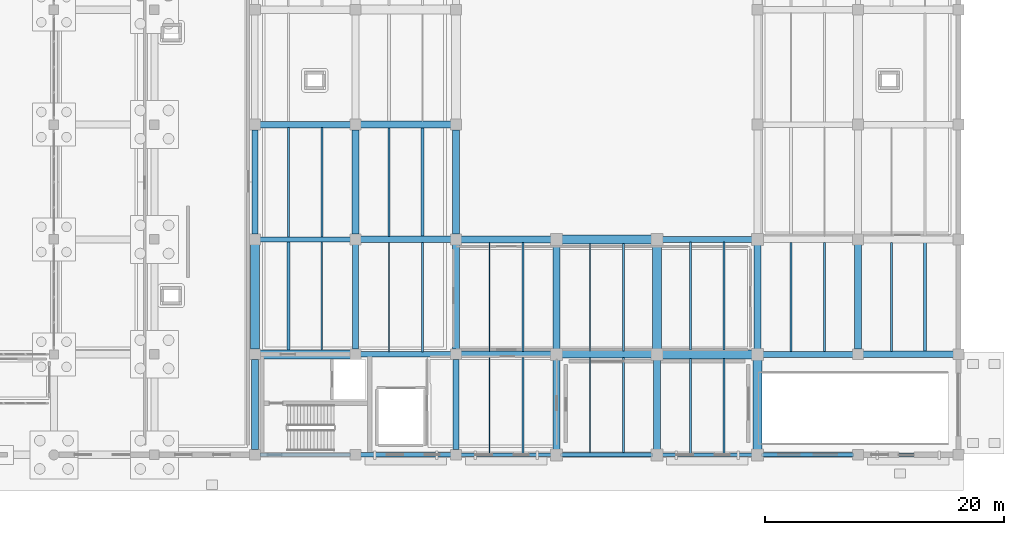
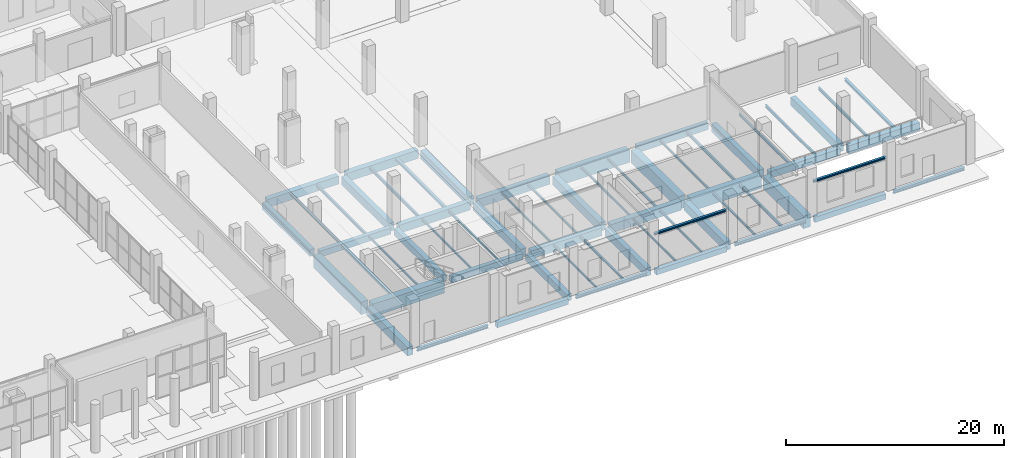
# One storey, part 25 of 65: 62 beams.
"""IFC4 building model written with IfcOpenShell, lengths in metres."""

from ifc_helpers import new_model, si_unit, direction, frame, origin, origin_2d, place, context, subcontext, project, spatial, rectangle, i_section, extrude, material, material_profile, profile_set, type_object, element, save


model = new_model("IFC4")

# Units and contexts
model_context = context("Model", 3, precision=1e-05, world=origin(), true_north=direction((0.0, 1.0)))
body_context = subcontext(model_context, "Body", "Model", "MODEL_VIEW")
ifc_project = project(units=[si_unit("LENGTHUNIT", "METRE"), si_unit("AREAUNIT", "SQUARE_METRE"), si_unit("VOLUMEUNIT", "CUBIC_METRE"), si_unit("PLANEANGLEUNIT", "RADIAN"), si_unit("MASSUNIT", "GRAM", prefix="KILO")], contexts=[model_context])

# Site, building, storey
site_placement = place(None, origin())
site = spatial("IfcSite", under=ifc_project, at=site_placement, CompositionType="ELEMENT")
building_placement = place(site_placement, origin())
building = spatial("IfcBuilding", under=site, at=building_placement, Name="Zulmaris Art Gallery", CompositionType="ELEMENT")
storey_placement = place(building_placement, origin())
storey = spatial("IfcBuildingStorey", under=building, at=storey_placement, Name="L00", CompositionType="ELEMENT", Elevation=0.0)

# Beams
ifc_material_1 = material(Name="Concrete C40/50", Category="concrete")
ifc_material_profile_1 = material_profile(ifc_material_1, rectangle(XDim=0.449951171875, YDim=0.699951171875, at=origin_2d()), Name="RC 450x700")
ifc_profile_set_1 = profile_set([ifc_material_profile_1], Name="Concrete C40/50")
beam_type_1 = type_object("IfcBeamType", Name="BEAM-BM19", PredefinedType="BEAM", material=ifc_profile_set_1)
for number, where, z_axis, x_axis, name in (
    (1, (150.43505859375, 21.60009765625, -0.7548828125), (1.0, 0.0, 0.0), (0.0, 1.0, 0.0), "L00 X-girder (150.0..158.4, y=21.6)"),
    (2, (142.034912109375, 31.199951171875, -0.7548828125), (1.0, 0.0, 0.0), (0.0, 1.0, 0.0), "L00 X-girder (141.6..150.0, y=31.2)"),
):
    element("IfcBeam", number, at=place(storey_placement, frame(where, z_axis=z_axis, x_axis=x_axis)), inside=storey, type_object=beam_type_1, Name=name, PredefinedType="BEAM", context=body_context, shape_type="SweptSolid", body=[
        extrude(rectangle(XDim=0.449951171875, YDim=0.699951171875, at=origin_2d()), origin(), (0.0, 0.0, 1.0), 7.530029296875),
    ])
ifc_material_profile_2 = material_profile(ifc_material_1, rectangle(XDim=0.5, YDim=0.75, at=origin_2d()), Name="RC 500x750")
ifc_profile_set_2 = profile_set([ifc_material_profile_2], Name="Concrete C40/50")
beam_type_2 = type_object("IfcBeamType", Name="BEAM-BM20", PredefinedType="BEAM", material=ifc_profile_set_2)
beam_1_placement = place(storey_placement, frame((184.06005859375, 21.60009765625, -0.780029296875), z_axis=(1.0, 0.0, 0.0), x_axis=(0.0, 1.0, 0.0)))
element("IfcBeam", 3, at=beam_1_placement, inside=storey, type_object=beam_type_2, Name="L00 X-girder (183.6..192.0, y=21.6)", PredefinedType="BEAM", context=body_context, shape_type="SweptSolid", body=[
    extrude(rectangle(XDim=0.5, YDim=0.75, at=origin_2d()), origin(), (0.0, 0.0, 1.0), 7.5048828125),
])
beam_2_placement = place(storey_placement, frame((175.659912109375, 31.199951171875, -0.780029296875), z_axis=(1.0, 0.0, 0.0), x_axis=(0.0, 1.0, 0.0)))
element("IfcBeam", 4, at=beam_2_placement, inside=storey, type_object=beam_type_2, Name="L00 X-girder (175.2..183.6, y=31.2)", PredefinedType="BEAM", context=body_context, shape_type="SweptSolid", body=[
    extrude(rectangle(XDim=0.5, YDim=0.75, at=origin_2d()), origin(), (0.0, 0.0, 1.0), 7.47998046875),
])
for number, where, z_axis, x_axis, name in (
    (5, (141.60009765625, 31.635009765625, -0.780029296875), (0.0, 1.0, 0.0), (-1.0, 0.0, 0.0), "L00 Y-girder (x=141.6, 31.2..40.8)"),
    (6, (150.0, 22.034912109375, -0.780029296875), (0.0, 1.0, 0.0), (-1.0, 0.0, 0.0), "L00 Y-girder (x=150.0, 21.6..31.2)"),
):
    element("IfcBeam", number, at=place(storey_placement, frame(where, z_axis=z_axis, x_axis=x_axis)), inside=storey, type_object=beam_type_2, Name=name, PredefinedType="BEAM", context=body_context, shape_type="SweptSolid", body=[
        extrude(rectangle(XDim=0.5, YDim=0.75, at=origin_2d()), origin(), (0.0, 0.0, 1.0), 8.72998046875),
    ])
beam_3_placement = place(storey_placement, frame((158.39990234375, 13.635009765625, -0.780029296875), z_axis=(0.0, 1.0, 0.0), x_axis=(-1.0, 0.0, 0.0)))
element("IfcBeam", 7, at=beam_3_placement, inside=storey, type_object=beam_type_2, Name="L00 Y-girder (x=158.4, 13.2..21.6)", PredefinedType="BEAM", context=body_context, shape_type="SweptSolid", body=[
    extrude(rectangle(XDim=0.5, YDim=0.75, at=origin_2d()), origin(), (0.0, 0.0, 1.0), 7.530029296875),
])
ifc_material_profile_3 = material_profile(ifc_material_1, rectangle(XDim=0.550048828125, YDim=0.89990234375, at=origin_2d()), Name="RC 550x900")
ifc_profile_set_3 = profile_set([ifc_material_profile_3], Name="Concrete C40/50")
beam_type_3 = type_object("IfcBeamType", Name="BEAM-BM21", PredefinedType="BEAM", material=ifc_profile_set_3)
beam_4_placement = place(storey_placement, frame((158.8349609375, 21.60009765625, -0.860107421875), z_axis=(1.0, 0.0, 0.0), x_axis=(0.0, 1.0, 0.0)))
element("IfcBeam", 8, at=beam_4_placement, inside=storey, type_object=beam_type_3, Name="L00 X-girder (158.4..166.8, y=21.6)", PredefinedType="BEAM", context=body_context, shape_type="SweptSolid", body=[
    extrude(rectangle(XDim=0.550048828125, YDim=0.89990234375, at=origin_2d()), origin(), (0.0, 0.0, 1.0), 7.505126953125),
])
for number, where, z_axis, x_axis, name in (
    (9, (192.43505859375, 21.60009765625, -0.860107421875), (1.0, 0.0, 0.0), (0.0, 1.0, 0.0), "L00 X-girder (192.0..200.4, y=21.6)"),
    (10, (150.43505859375, 31.199951171875, -0.860107421875), (1.0, 0.0, 0.0), (0.0, 1.0, 0.0), "L00 X-girder (150.0..158.4, y=31.2)"),
    (11, (142.034912109375, 40.800048828125, -0.860107421875), (1.0, 0.0, 0.0), (0.0, 1.0, 0.0), "L00 X-girder (141.6..150.0, y=40.8)"),
):
    element("IfcBeam", number, at=place(storey_placement, frame(where, z_axis=z_axis, x_axis=x_axis)), inside=storey, type_object=beam_type_3, Name=name, PredefinedType="BEAM", context=body_context, shape_type="SweptSolid", body=[
        extrude(rectangle(XDim=0.550048828125, YDim=0.89990234375, at=origin_2d()), origin(), (0.0, 0.0, 1.0), 7.530029296875),
    ])
for number, where, z_axis, x_axis, name in (
    (12, (150.0, 31.635009765625, -0.860107421875), (0.0, 1.0, 0.0), (-1.0, 0.0, 0.0), "L00 Y-girder (x=150.0, 31.2..40.8)"),
    (13, (158.39990234375, 22.034912109375, -0.860107421875), (0.0, 1.0, 0.0), (-1.0, 0.0, 0.0), "L00 Y-girder (x=158.4, 21.6..31.2)"),
):
    element("IfcBeam", number, at=place(storey_placement, frame(where, z_axis=z_axis, x_axis=x_axis)), inside=storey, type_object=beam_type_3, Name=name, PredefinedType="BEAM", context=body_context, shape_type="SweptSolid", body=[
        extrude(rectangle(XDim=0.550048828125, YDim=0.89990234375, at=origin_2d()), origin(), (0.0, 0.0, 1.0), 8.72998046875),
    ])
beam_5_placement = place(storey_placement, frame((166.800048828125, 13.659912109375, -0.860107421875), z_axis=(0.0, 1.0, 0.0), x_axis=(-1.0, 0.0, 0.0)))
element("IfcBeam", 14, at=beam_5_placement, inside=storey, type_object=beam_type_3, Name="L00 Y-girder (x=166.8, 13.2..21.6)", PredefinedType="BEAM", context=body_context, shape_type="SweptSolid", body=[
    extrude(rectangle(XDim=0.550048828125, YDim=0.89990234375, at=origin_2d()), origin(), (0.0, 0.0, 1.0), 7.47998046875),
])
beam_6_placement = place(storey_placement, frame((183.60009765625, 22.06005859375, -0.85498046875), z_axis=(0.0, 1.0, 0.0), x_axis=(-1.0, 0.0, 0.0)))
element("IfcBeam", 15, at=beam_6_placement, inside=storey, type_object=beam_type_3, Name="L00 Y-girder (x=183.6, 21.6..31.2)", PredefinedType="BEAM", context=body_context, shape_type="SweptSolid", body=[
    extrude(rectangle(XDim=0.550048828125, YDim=0.89990234375, at=origin_2d()), origin(), (0.0, 0.0, 1.0), 8.679931640625),
])
beam_7_placement = place(storey_placement, frame((192.0, 22.034912109375, -0.860107421875), z_axis=(0.0, 1.0, 0.0), x_axis=(-1.0, 0.0, 0.0)))
element("IfcBeam", 16, at=beam_7_placement, inside=storey, type_object=beam_type_3, Name="L00 Y-girder (x=192.0, 21.6..31.2)", PredefinedType="BEAM", context=body_context, shape_type="SweptSolid", body=[
    extrude(rectangle(XDim=0.550048828125, YDim=0.89990234375, at=origin_2d()), origin(), (0.0, 0.0, 1.0), 8.72998046875),
])
ifc_material_profile_4 = material_profile(ifc_material_1, rectangle(XDim=0.60009765625, YDim=0.949951171875, at=origin_2d()), Name="RC 600x950")
ifc_profile_set_4 = profile_set([ifc_material_profile_4], Name="Concrete C40/50")
beam_type_4 = type_object("IfcBeamType", Name="BEAM-BM22", PredefinedType="BEAM", material=ifc_profile_set_4)
beam_8_placement = place(storey_placement, frame((167.260009765625, 21.60009765625, -0.885009765625), z_axis=(1.0, 0.0, 0.0), x_axis=(0.0, 1.0, 0.0)))
element("IfcBeam", 17, at=beam_8_placement, inside=storey, type_object=beam_type_4, Name="L00 X-girder (166.8..175.2, y=21.6)", PredefinedType="BEAM", context=body_context, shape_type="SweptSolid", body=[
    extrude(rectangle(XDim=0.60009765625, YDim=0.949951171875, at=origin_2d()), origin(), (0.0, 0.0, 1.0), 7.47998046875),
])
beam_9_placement = place(storey_placement, frame((158.8349609375, 31.199951171875, -0.885009765625), z_axis=(1.0, 0.0, 0.0), x_axis=(0.0, 1.0, 0.0)))
element("IfcBeam", 18, at=beam_9_placement, inside=storey, type_object=beam_type_4, Name="L00 X-girder (158.4..166.8, y=31.2)", PredefinedType="BEAM", context=body_context, shape_type="SweptSolid", body=[
    extrude(rectangle(XDim=0.60009765625, YDim=0.949951171875, at=origin_2d()), origin(), (0.0, 0.0, 1.0), 7.505126953125),
])
for number, where, z_axis, x_axis, name in (
    (19, (150.43505859375, 40.800048828125, -0.885009765625), (1.0, 0.0, 0.0), (0.0, 1.0, 0.0), "L00 X-girder (150.0..158.4, y=40.8)"),
    (20, (141.60009765625, 13.635009765625, -0.885009765625), (0.0, 1.0, 0.0), (-1.0, 0.0, 0.0), "L00 Y-girder (x=141.6, 13.2..21.6)"),
):
    element("IfcBeam", number, at=place(storey_placement, frame(where, z_axis=z_axis, x_axis=x_axis)), inside=storey, type_object=beam_type_4, Name=name, PredefinedType="BEAM", context=body_context, shape_type="SweptSolid", body=[
        extrude(rectangle(XDim=0.60009765625, YDim=0.949951171875, at=origin_2d()), origin(), (0.0, 0.0, 1.0), 7.530029296875),
    ])
beam_10_placement = place(storey_placement, frame((158.39990234375, 31.635009765625, -0.885009765625), z_axis=(0.0, 1.0, 0.0), x_axis=(-1.0, 0.0, 0.0)))
element("IfcBeam", 21, at=beam_10_placement, inside=storey, type_object=beam_type_4, Name="L00 Y-girder (x=158.4, 31.2..40.8)", PredefinedType="BEAM", context=body_context, shape_type="SweptSolid", body=[
    extrude(rectangle(XDim=0.60009765625, YDim=0.949951171875, at=origin_2d()), origin(), (0.0, 0.0, 1.0), 8.72998046875),
])
beam_11_placement = place(storey_placement, frame((166.800048828125, 22.06005859375, -0.885009765625), z_axis=(0.0, 1.0, 0.0), x_axis=(-1.0, 0.0, 0.0)))
element("IfcBeam", 22, at=beam_11_placement, inside=storey, type_object=beam_type_4, Name="L00 Y-girder (x=166.8, 21.6..31.2)", PredefinedType="BEAM", context=body_context, shape_type="SweptSolid", body=[
    extrude(rectangle(XDim=0.60009765625, YDim=0.949951171875, at=origin_2d()), origin(), (0.0, 0.0, 1.0), 8.679931640625),
])
beam_12_placement = place(storey_placement, frame((175.199951171875, 13.659912109375, -0.885009765625), z_axis=(0.0, 1.0, 0.0), x_axis=(-1.0, 0.0, 0.0)))
element("IfcBeam", 23, at=beam_12_placement, inside=storey, type_object=beam_type_4, Name="L00 Y-girder (x=175.2, 13.2..21.6)", PredefinedType="BEAM", context=body_context, shape_type="SweptSolid", body=[
    extrude(rectangle(XDim=0.60009765625, YDim=0.949951171875, at=origin_2d()), origin(), (0.0, 0.0, 1.0), 7.47998046875),
])
ifc_material_2 = material(Name="Concrete C50/60", Category="concrete")
ifc_material_profile_5 = material_profile(ifc_material_2, rectangle(XDim=0.75, YDim=1.39990234375, at=origin_2d()), Name="RC 750x1400")
ifc_profile_set_5 = profile_set([ifc_material_profile_5], Name="Concrete C50/60")
beam_type_5 = type_object("IfcBeamType", Name="BEAM-BM23", PredefinedType="BEAM", material=ifc_profile_set_5)
beam_13_placement = place(storey_placement, frame((142.034912109375, 21.60009765625, -1.110107421875), z_axis=(1.0, 0.0, 0.0), x_axis=(0.0, 1.0, 0.0)))
element("IfcBeam", 24, at=beam_13_placement, inside=storey, type_object=beam_type_5, Name="L00 X-girder (141.6..150.0, y=21.6)", PredefinedType="BEAM", context=body_context, shape_type="SweptSolid", body=[
    extrude(rectangle(XDim=0.75, YDim=1.39990234375, at=origin_2d()), origin(), (0.0, 0.0, 1.0), 7.530029296875),
])
for number, where, z_axis, x_axis, name in (
    (25, (175.659912109375, 21.60009765625, -1.110107421875), (1.0, 0.0, 0.0), (0.0, 1.0, 0.0), "L00 X-girder (175.2..183.6, y=21.6)"),
    (26, (167.260009765625, 31.199951171875, -1.110107421875), (1.0, 0.0, 0.0), (0.0, 1.0, 0.0), "L00 X-girder (166.8..175.2, y=31.2)"),
):
    element("IfcBeam", number, at=place(storey_placement, frame(where, z_axis=z_axis, x_axis=x_axis)), inside=storey, type_object=beam_type_5, Name=name, PredefinedType="BEAM", context=body_context, shape_type="SweptSolid", body=[
        extrude(rectangle(XDim=0.75, YDim=1.39990234375, at=origin_2d()), origin(), (0.0, 0.0, 1.0), 7.47998046875),
    ])
beam_14_placement = place(storey_placement, frame((141.60009765625, 22.034912109375, -1.110107421875), z_axis=(0.0, 1.0, 0.0), x_axis=(-1.0, 0.0, 0.0)))
element("IfcBeam", 27, at=beam_14_placement, inside=storey, type_object=beam_type_5, Name="L00 Y-girder (x=141.6, 21.6..31.2)", PredefinedType="BEAM", context=body_context, shape_type="SweptSolid", body=[
    extrude(rectangle(XDim=0.75, YDim=1.39990234375, at=origin_2d()), origin(), (0.0, 0.0, 1.0), 8.72998046875),
])
beam_15_placement = place(storey_placement, frame((175.199951171875, 22.06005859375, -1.110107421875), z_axis=(0.0, 1.0, 0.0), x_axis=(-1.0, 0.0, 0.0)))
element("IfcBeam", 28, at=beam_15_placement, inside=storey, type_object=beam_type_5, Name="L00 Y-girder (x=175.2, 21.6..31.2)", PredefinedType="BEAM", context=body_context, shape_type="SweptSolid", body=[
    extrude(rectangle(XDim=0.75, YDim=1.39990234375, at=origin_2d()), origin(), (0.0, 0.0, 1.0), 8.679931640625),
])
beam_16_placement = place(storey_placement, frame((183.60009765625, 13.659912109375, -1.110107421875), z_axis=(0.0, 1.0, 0.0), x_axis=(-1.0, 0.0, 0.0)))
element("IfcBeam", 29, at=beam_16_placement, inside=storey, type_object=beam_type_5, Name="L00 Y-girder (x=183.6, 13.2..21.6)", PredefinedType="BEAM", context=body_context, shape_type="SweptSolid", body=[
    extrude(rectangle(XDim=0.75, YDim=1.39990234375, at=origin_2d()), origin(), (0.0, 0.0, 1.0), 7.47998046875),
])
ifc_material_3 = material(Name="Steel S355J2", Category="steel")
ifc_material_profile_6 = material_profile(ifc_material_3, i_section(OverallWidth=0.1201171875, OverallDepth=0.239990234375, WebThickness=0.006103515625, FlangeThickness=0.009765625, FilletRadius=0.014892578125, at=origin_2d()), Name="IPE 240")
ifc_profile_set_6 = profile_set([ifc_material_profile_6], Name="Steel S355J2")
beam_type_6 = type_object("IfcBeamType", Name="BEAM-JS01", PredefinedType="JOIST", material=ifc_profile_set_6)
beam_17_placement = place(storey_placement, frame((147.199951171875, 21.949951171875, -0.530029296875), z_axis=(0.0, 1.0, 0.0), x_axis=(-1.0, 0.0, 0.0)))
element("IfcBeam", 30, at=beam_17_placement, inside=storey, type_object=beam_type_6, Name="L00 secondary joist at x=147.2", PredefinedType="JOIST", context=body_context, shape_type="SweptSolid", body=[
    extrude(i_section(OverallWidth=0.1201171875, OverallDepth=0.239990234375, WebThickness=0.006103515625, FlangeThickness=0.009765625, FilletRadius=0.014892578125, at=origin_2d()), origin(), (0.0, 0.0, 1.0), 9.050048828125),
])
beam_18_placement = place(storey_placement, frame((152.800048828125, 21.800048828125, -0.530029296875), z_axis=(0.0, 1.0, 0.0), x_axis=(-1.0, 0.0, 0.0)))
element("IfcBeam", 31, at=beam_18_placement, inside=storey, type_object=beam_type_6, Name="L00 secondary joist at x=152.8", PredefinedType="JOIST", context=body_context, shape_type="SweptSolid", body=[
    extrude(i_section(OverallWidth=0.1201171875, OverallDepth=0.239990234375, WebThickness=0.006103515625, FlangeThickness=0.009765625, FilletRadius=0.014892578125, at=origin_2d()), origin(), (0.0, 0.0, 1.0), 9.14990234375),
])
beam_19_placement = place(storey_placement, frame((161.199951171875, 13.324951171875, -0.530029296875), z_axis=(0.0, 1.0, 0.0), x_axis=(-1.0, 0.0, 0.0)))
element("IfcBeam", 32, at=beam_19_placement, inside=storey, type_object=beam_type_6, Name="L00 secondary joist at x=161.2", PredefinedType="JOIST", context=body_context, shape_type="SweptSolid", body=[
    extrude(i_section(OverallWidth=0.1201171875, OverallDepth=0.239990234375, WebThickness=0.006103515625, FlangeThickness=0.009765625, FilletRadius=0.014892578125, at=origin_2d()), origin(), (0.0, 0.0, 1.0), 8.025146484375),
])
beam_20_placement = place(storey_placement, frame((161.199951171875, 21.85009765625, -0.530029296875), z_axis=(0.0, 1.0, 0.0), x_axis=(-1.0, 0.0, 0.0)))
element("IfcBeam", 33, at=beam_20_placement, inside=storey, type_object=beam_type_6, Name="L00 secondary joist at x=161.2", PredefinedType="JOIST", context=body_context, shape_type="SweptSolid", body=[
    extrude(i_section(OverallWidth=0.1201171875, OverallDepth=0.239990234375, WebThickness=0.006103515625, FlangeThickness=0.009765625, FilletRadius=0.014892578125, at=origin_2d()), origin(), (0.0, 0.0, 1.0), 9.074951171875),
])
beam_21_placement = place(storey_placement, frame((169.60009765625, 13.375, -0.530029296875), z_axis=(0.0, 1.0, 0.0), x_axis=(-1.0, 0.0, 0.0)))
element("IfcBeam", 34, at=beam_21_placement, inside=storey, type_object=beam_type_6, Name="L00 secondary joist at x=169.6", PredefinedType="JOIST", context=body_context, shape_type="SweptSolid", body=[
    extrude(i_section(OverallWidth=0.1201171875, OverallDepth=0.239990234375, WebThickness=0.006103515625, FlangeThickness=0.009765625, FilletRadius=0.014892578125, at=origin_2d()), origin(), (0.0, 0.0, 1.0), 7.949951171875),
])
beam_22_placement = place(storey_placement, frame((169.60009765625, 21.875, -0.530029296875), z_axis=(0.0, 1.0, 0.0), x_axis=(-1.0, 0.0, 0.0)))
element("IfcBeam", 35, at=beam_22_placement, inside=storey, type_object=beam_type_6, Name="L00 secondary joist at x=169.6", PredefinedType="JOIST", context=body_context, shape_type="SweptSolid", body=[
    extrude(i_section(OverallWidth=0.1201171875, OverallDepth=0.239990234375, WebThickness=0.006103515625, FlangeThickness=0.009765625, FilletRadius=0.014892578125, at=origin_2d()), origin(), (0.0, 0.0, 1.0), 8.97509765625),
])
ifc_material_profile_7 = material_profile(ifc_material_3, i_section(OverallWidth=0.135009765625, OverallDepth=0.27001953125, WebThickness=0.006591796875, FlangeThickness=0.01025390625, FilletRadius=0.014892578125, at=origin_2d()), Name="IPE 270")
ifc_profile_set_7 = profile_set([ifc_material_profile_7], Name="Steel S355J2")
beam_type_7 = type_object("IfcBeamType", Name="BEAM-JS02", PredefinedType="JOIST", material=ifc_profile_set_7)
beam_23_placement = place(storey_placement, frame((144.39990234375, 31.39990234375, -0.544921875), z_axis=(0.0, 1.0, 0.0), x_axis=(-1.0, 0.0, 0.0)))
element("IfcBeam", 36, at=beam_23_placement, inside=storey, type_object=beam_type_7, Name="L00 secondary joist at x=144.4", PredefinedType="JOIST", context=body_context, shape_type="SweptSolid", body=[
    extrude(i_section(OverallWidth=0.135009765625, OverallDepth=0.27001953125, WebThickness=0.006591796875, FlangeThickness=0.01025390625, FilletRadius=0.014892578125, at=origin_2d()), origin(), (0.0, 0.0, 1.0), 9.150146484375),
])
beam_24_placement = place(storey_placement, frame((155.60009765625, 21.800048828125, -0.544921875), z_axis=(0.0, 1.0, 0.0), x_axis=(-1.0, 0.0, 0.0)))
element("IfcBeam", 37, at=beam_24_placement, inside=storey, type_object=beam_type_7, Name="L00 secondary joist at x=155.6", PredefinedType="JOIST", context=body_context, shape_type="SweptSolid", body=[
    extrude(i_section(OverallWidth=0.135009765625, OverallDepth=0.27001953125, WebThickness=0.006591796875, FlangeThickness=0.01025390625, FilletRadius=0.014892578125, at=origin_2d()), origin(), (0.0, 0.0, 1.0), 9.14990234375),
])
beam_25_placement = place(storey_placement, frame((164.0, 13.324951171875, -0.544921875), z_axis=(0.0, 1.0, 0.0), x_axis=(-1.0, 0.0, 0.0)))
element("IfcBeam", 38, at=beam_25_placement, inside=storey, type_object=beam_type_7, Name="L00 secondary joist at x=164.0", PredefinedType="JOIST", context=body_context, shape_type="SweptSolid", body=[
    extrude(i_section(OverallWidth=0.135009765625, OverallDepth=0.27001953125, WebThickness=0.006591796875, FlangeThickness=0.01025390625, FilletRadius=0.014892578125, at=origin_2d()), origin(), (0.0, 0.0, 1.0), 8.025146484375),
])
beam_26_placement = place(storey_placement, frame((164.0, 21.85009765625, -0.544921875), z_axis=(0.0, 1.0, 0.0), x_axis=(-1.0, 0.0, 0.0)))
element("IfcBeam", 39, at=beam_26_placement, inside=storey, type_object=beam_type_7, Name="L00 secondary joist at x=164.0", PredefinedType="JOIST", context=body_context, shape_type="SweptSolid", body=[
    extrude(i_section(OverallWidth=0.135009765625, OverallDepth=0.27001953125, WebThickness=0.006591796875, FlangeThickness=0.01025390625, FilletRadius=0.014892578125, at=origin_2d()), origin(), (0.0, 0.0, 1.0), 9.074951171875),
])
beam_27_placement = place(storey_placement, frame((172.39990234375, 13.375, -0.544921875), z_axis=(0.0, 1.0, 0.0), x_axis=(-1.0, 0.0, 0.0)))
element("IfcBeam", 40, at=beam_27_placement, inside=storey, type_object=beam_type_7, Name="L00 secondary joist at x=172.4", PredefinedType="JOIST", context=body_context, shape_type="SweptSolid", body=[
    extrude(i_section(OverallWidth=0.135009765625, OverallDepth=0.27001953125, WebThickness=0.006591796875, FlangeThickness=0.01025390625, FilletRadius=0.014892578125, at=origin_2d()), origin(), (0.0, 0.0, 1.0), 7.949951171875),
])
beam_28_placement = place(storey_placement, frame((172.39990234375, 21.875, -0.544921875), z_axis=(0.0, 1.0, 0.0), x_axis=(-1.0, 0.0, 0.0)))
element("IfcBeam", 41, at=beam_28_placement, inside=storey, type_object=beam_type_7, Name="L00 secondary joist at x=172.4", PredefinedType="JOIST", context=body_context, shape_type="SweptSolid", body=[
    extrude(i_section(OverallWidth=0.135009765625, OverallDepth=0.27001953125, WebThickness=0.006591796875, FlangeThickness=0.01025390625, FilletRadius=0.014892578125, at=origin_2d()), origin(), (0.0, 0.0, 1.0), 8.97509765625),
])
beam_29_placement = place(storey_placement, frame((178.0, 13.324951171875, -0.544921875), z_axis=(0.0, 1.0, 0.0), x_axis=(-1.0, 0.0, 0.0)))
element("IfcBeam", 42, at=beam_29_placement, inside=storey, type_object=beam_type_7, Name="L00 secondary joist at x=178.0", PredefinedType="JOIST", context=body_context, shape_type="SweptSolid", body=[
    extrude(i_section(OverallWidth=0.135009765625, OverallDepth=0.27001953125, WebThickness=0.006591796875, FlangeThickness=0.01025390625, FilletRadius=0.014892578125, at=origin_2d()), origin(), (0.0, 0.0, 1.0), 7.925048828125),
])
beam_30_placement = place(storey_placement, frame((178.0, 21.949951171875, -0.544921875), z_axis=(0.0, 1.0, 0.0), x_axis=(-1.0, 0.0, 0.0)))
element("IfcBeam", 43, at=beam_30_placement, inside=storey, type_object=beam_type_7, Name="L00 secondary joist at x=178.0", PredefinedType="JOIST", context=body_context, shape_type="SweptSolid", body=[
    extrude(i_section(OverallWidth=0.135009765625, OverallDepth=0.27001953125, WebThickness=0.006591796875, FlangeThickness=0.01025390625, FilletRadius=0.014892578125, at=origin_2d()), origin(), (0.0, 0.0, 1.0), 9.025146484375),
])
beam_31_placement = place(storey_placement, frame((186.39990234375, 21.824951171875, -0.544921875), z_axis=(0.0, 1.0, 0.0), x_axis=(-1.0, 0.0, 0.0)))
element("IfcBeam", 44, at=beam_31_placement, inside=storey, type_object=beam_type_7, Name="L00 secondary joist at x=186.4", PredefinedType="JOIST", context=body_context, shape_type="SweptSolid", body=[
    extrude(i_section(OverallWidth=0.135009765625, OverallDepth=0.27001953125, WebThickness=0.006591796875, FlangeThickness=0.01025390625, FilletRadius=0.014892578125, at=origin_2d()), origin(), (0.0, 0.0, 1.0), 9.125),
])
ifc_material_profile_8 = material_profile(ifc_material_3, i_section(OverallWidth=0.159912109375, OverallDepth=0.330078125, WebThickness=0.007568359375, FlangeThickness=0.011474609375, FilletRadius=0.01806640625, at=origin_2d()), Name="IPE 330")
ifc_profile_set_8 = profile_set([ifc_material_profile_8], Name="Steel S355J2")
beam_type_8 = type_object("IfcBeamType", Name="BEAM-JS03", PredefinedType="JOIST", material=ifc_profile_set_8)
beam_32_placement = place(storey_placement, frame((147.199951171875, 31.39990234375, -0.574951171875), z_axis=(0.0, 1.0, 0.0), x_axis=(-1.0, 0.0, 0.0)))
element("IfcBeam", 45, at=beam_32_placement, inside=storey, type_object=beam_type_8, Name="L00 secondary joist at x=147.2", PredefinedType="JOIST", context=body_context, shape_type="SweptSolid", body=[
    extrude(i_section(OverallWidth=0.159912109375, OverallDepth=0.330078125, WebThickness=0.007568359375, FlangeThickness=0.011474609375, FilletRadius=0.01806640625, at=origin_2d()), origin(), (0.0, 0.0, 1.0), 9.150146484375),
])
beam_33_placement = place(storey_placement, frame((152.800048828125, 31.449951171875, -0.574951171875), z_axis=(0.0, 1.0, 0.0), x_axis=(-1.0, 0.0, 0.0)))
element("IfcBeam", 46, at=beam_33_placement, inside=storey, type_object=beam_type_8, Name="L00 secondary joist at x=152.8", PredefinedType="JOIST", context=body_context, shape_type="SweptSolid", body=[
    extrude(i_section(OverallWidth=0.159912109375, OverallDepth=0.330078125, WebThickness=0.007568359375, FlangeThickness=0.011474609375, FilletRadius=0.01806640625, at=origin_2d()), origin(), (0.0, 0.0, 1.0), 9.074951171875),
])
beam_34_placement = place(storey_placement, frame((180.800048828125, 13.324951171875, -0.574951171875), z_axis=(0.0, 1.0, 0.0), x_axis=(-1.0, 0.0, 0.0)))
element("IfcBeam", 47, at=beam_34_placement, inside=storey, type_object=beam_type_8, Name="L00 secondary joist at x=180.8", PredefinedType="JOIST", context=body_context, shape_type="SweptSolid", body=[
    extrude(i_section(OverallWidth=0.159912109375, OverallDepth=0.330078125, WebThickness=0.007568359375, FlangeThickness=0.011474609375, FilletRadius=0.01806640625, at=origin_2d()), origin(), (0.0, 0.0, 1.0), 7.925048828125),
])
beam_35_placement = place(storey_placement, frame((180.800048828125, 21.949951171875, -0.574951171875), z_axis=(0.0, 1.0, 0.0), x_axis=(-1.0, 0.0, 0.0)))
element("IfcBeam", 48, at=beam_35_placement, inside=storey, type_object=beam_type_8, Name="L00 secondary joist at x=180.8", PredefinedType="JOIST", context=body_context, shape_type="SweptSolid", body=[
    extrude(i_section(OverallWidth=0.159912109375, OverallDepth=0.330078125, WebThickness=0.007568359375, FlangeThickness=0.011474609375, FilletRadius=0.01806640625, at=origin_2d()), origin(), (0.0, 0.0, 1.0), 9.025146484375),
])
beam_36_placement = place(storey_placement, frame((189.199951171875, 21.824951171875, -0.574951171875), z_axis=(0.0, 1.0, 0.0), x_axis=(-1.0, 0.0, 0.0)))
element("IfcBeam", 49, at=beam_36_placement, inside=storey, type_object=beam_type_8, Name="L00 secondary joist at x=189.2", PredefinedType="JOIST", context=body_context, shape_type="SweptSolid", body=[
    extrude(i_section(OverallWidth=0.159912109375, OverallDepth=0.330078125, WebThickness=0.007568359375, FlangeThickness=0.011474609375, FilletRadius=0.01806640625, at=origin_2d()), origin(), (0.0, 0.0, 1.0), 9.125),
])
beam_37_placement = place(storey_placement, frame((194.800048828125, 21.85009765625, -0.574951171875), z_axis=(0.0, 1.0, 0.0), x_axis=(-1.0, 0.0, 0.0)))
element("IfcBeam", 50, at=beam_37_placement, inside=storey, type_object=beam_type_8, Name="L00 secondary joist at x=194.8", PredefinedType="JOIST", context=body_context, shape_type="SweptSolid", body=[
    extrude(i_section(OverallWidth=0.159912109375, OverallDepth=0.330078125, WebThickness=0.007568359375, FlangeThickness=0.011474609375, FilletRadius=0.01806640625, at=origin_2d()), origin(), (0.0, 0.0, 1.0), 9.074951171875),
])
ifc_material_profile_9 = material_profile(ifc_material_3, i_section(OverallWidth=0.280029296875, OverallDepth=0.27001953125, WebThickness=0.008056640625, FlangeThickness=0.012939453125, FilletRadius=0.02392578125, at=origin_2d()), Name="HEA 280")
ifc_profile_set_9 = profile_set([ifc_material_profile_9], Name="Steel S355J2")
beam_type_9 = type_object("IfcBeamType", Name="BEAM-JS04", PredefinedType="JOIST", material=ifc_profile_set_9)
beam_38_placement = place(storey_placement, frame((144.39990234375, 21.949951171875, -0.544921875), z_axis=(0.0, 1.0, 0.0), x_axis=(-1.0, 0.0, 0.0)))
element("IfcBeam", 51, at=beam_38_placement, inside=storey, type_object=beam_type_9, Name="L00 secondary joist at x=144.4", PredefinedType="JOIST", context=body_context, shape_type="SweptSolid", body=[
    extrude(i_section(OverallWidth=0.280029296875, OverallDepth=0.27001953125, WebThickness=0.008056640625, FlangeThickness=0.012939453125, FilletRadius=0.02392578125, at=origin_2d()), origin(), (0.0, 0.0, 1.0), 9.050048828125),
])
for number, where, z_axis, x_axis, name in (
    (52, (155.60009765625, 31.449951171875, -0.544921875), (0.0, 1.0, 0.0), (-1.0, 0.0, 0.0), "L00 secondary joist at x=155.6"),
    (53, (197.60009765625, 21.85009765625, -0.544921875), (0.0, 1.0, 0.0), (-1.0, 0.0, 0.0), "L00 secondary joist at x=197.6"),
):
    element("IfcBeam", number, at=place(storey_placement, frame(where, z_axis=z_axis, x_axis=x_axis)), inside=storey, type_object=beam_type_9, Name=name, PredefinedType="JOIST", context=body_context, shape_type="SweptSolid", body=[
        extrude(i_section(OverallWidth=0.280029296875, OverallDepth=0.27001953125, WebThickness=0.008056640625, FlangeThickness=0.012939453125, FilletRadius=0.02392578125, at=origin_2d()), origin(), (0.0, 0.0, 1.0), 9.074951171875),
    ])
ifc_material_profile_10 = material_profile(ifc_material_3, i_section(OverallWidth=0.239990234375, OverallDepth=0.22998046875, WebThickness=0.007568359375, FlangeThickness=0.011962890625, FilletRadius=0.02099609375, at=origin_2d()), Name="HEA 240")
ifc_profile_set_10 = profile_set([ifc_material_profile_10], Name="Steel S355J2")
beam_type_10 = type_object("IfcBeamType", Name="BEAM-LN02", PredefinedType="LINTEL", material=ifc_profile_set_10)
beam_39_placement = place(storey_placement, frame((167.14990234375, 13.199951171875, 3.550048828125), z_axis=(1.0, 0.0, 0.0), x_axis=(0.0, 1.0, 0.0)))
element("IfcBeam", 54, at=beam_39_placement, inside=storey, type_object=beam_type_10, Name="L00 portal lintel 1", PredefinedType="LINTEL", context=body_context, shape_type="SweptSolid", body=[
    extrude(i_section(OverallWidth=0.239990234375, OverallDepth=0.22998046875, WebThickness=0.007568359375, FlangeThickness=0.011962890625, FilletRadius=0.02099609375, at=origin_2d()), origin(), (0.0, 0.0, 1.0), 7.7001953125),
])
beam_40_placement = place(storey_placement, frame((183.949951171875, 13.199951171875, 3.550048828125), z_axis=(1.0, 0.0, 0.0), x_axis=(0.0, 1.0, 0.0)))
element("IfcBeam", 55, at=beam_40_placement, inside=storey, type_object=beam_type_10, Name="L00 portal lintel 2", PredefinedType="LINTEL", context=body_context, shape_type="SweptSolid", body=[
    extrude(i_section(OverallWidth=0.239990234375, OverallDepth=0.22998046875, WebThickness=0.007568359375, FlangeThickness=0.011962890625, FilletRadius=0.02099609375, at=origin_2d()), origin(), (0.0, 0.0, 1.0), 7.699951171875),
])
ifc_material_profile_11 = material_profile(ifc_material_3, i_section(OverallWidth=0.300048828125, OverallDepth=0.35009765625, WebThickness=0.010009765625, FlangeThickness=0.017578125, FilletRadius=0.027099609375, at=origin_2d()), Name="HEA 360")
ifc_profile_set_11 = profile_set([ifc_material_profile_11], Name="Steel S355J2")
beam_type_11 = type_object("IfcBeamType", Name="BEAM-SP01", PredefinedType="SPANDREL", material=ifc_profile_set_11)
beam_41_placement = place(storey_placement, frame((142.034912109375, 13.199951171875, -0.5849609375), z_axis=(1.0, 0.0, 0.0), x_axis=(0.0, 1.0, 0.0)))
element("IfcBeam", 56, at=beam_41_placement, inside=storey, type_object=beam_type_11, Name="L00 X-girder (141.6..150.0, y=13.2)", PredefinedType="SPANDREL", context=body_context, shape_type="SweptSolid", body=[
    extrude(i_section(OverallWidth=0.300048828125, OverallDepth=0.35009765625, WebThickness=0.010009765625, FlangeThickness=0.017578125, FilletRadius=0.027099609375, at=origin_2d()), origin(), (0.0, 0.0, 1.0), 7.530029296875),
])
beam_42_placement = place(storey_placement, frame((158.8349609375, 13.199951171875, -0.5849609375), z_axis=(1.0, 0.0, 0.0), x_axis=(0.0, 1.0, 0.0)))
element("IfcBeam", 57, at=beam_42_placement, inside=storey, type_object=beam_type_11, Name="L00 X-girder (158.4..166.8, y=13.2)", PredefinedType="SPANDREL", context=body_context, shape_type="SweptSolid", body=[
    extrude(i_section(OverallWidth=0.300048828125, OverallDepth=0.35009765625, WebThickness=0.010009765625, FlangeThickness=0.017578125, FilletRadius=0.027099609375, at=origin_2d()), origin(), (0.0, 0.0, 1.0), 7.505126953125),
])
beam_43_placement = place(storey_placement, frame((175.659912109375, 13.199951171875, -0.5849609375), z_axis=(1.0, 0.0, 0.0), x_axis=(0.0, 1.0, 0.0)))
element("IfcBeam", 58, at=beam_43_placement, inside=storey, type_object=beam_type_11, Name="L00 X-girder (175.2..183.6, y=13.2)", PredefinedType="SPANDREL", context=body_context, shape_type="SweptSolid", body=[
    extrude(i_section(OverallWidth=0.300048828125, OverallDepth=0.35009765625, WebThickness=0.010009765625, FlangeThickness=0.017578125, FilletRadius=0.027099609375, at=origin_2d()), origin(), (0.0, 0.0, 1.0), 7.47998046875),
])
beam_44_placement = place(storey_placement, frame((192.43505859375, 13.199951171875, -0.5849609375), z_axis=(1.0, 0.0, 0.0), x_axis=(0.0, 1.0, 0.0)))
element("IfcBeam", 59, at=beam_44_placement, inside=storey, type_object=beam_type_11, Name="L00 X-girder (192.0..200.4, y=13.2)", PredefinedType="SPANDREL", context=body_context, shape_type="SweptSolid", body=[
    extrude(i_section(OverallWidth=0.300048828125, OverallDepth=0.35009765625, WebThickness=0.010009765625, FlangeThickness=0.017578125, FilletRadius=0.027099609375, at=origin_2d()), origin(), (0.0, 0.0, 1.0), 7.530029296875),
])
ifc_material_profile_12 = material_profile(ifc_material_1, rectangle(XDim=0.39990234375, YDim=0.60009765625, at=origin_2d()), Name="RC 400x600")
ifc_profile_set_12 = profile_set([ifc_material_profile_12], Name="Concrete C40/50")
beam_type_12 = type_object("IfcBeamType", Name="BEAM-SP03", PredefinedType="SPANDREL", material=ifc_profile_set_12)
beam_45_placement = place(storey_placement, frame((150.43505859375, 13.199951171875, -0.7099609375), z_axis=(1.0, 0.0, 0.0), x_axis=(0.0, 1.0, 0.0)))
element("IfcBeam", 60, at=beam_45_placement, inside=storey, type_object=beam_type_12, Name="L00 X-girder (150.0..158.4, y=13.2)", PredefinedType="SPANDREL", context=body_context, shape_type="SweptSolid", body=[
    extrude(rectangle(XDim=0.39990234375, YDim=0.60009765625, at=origin_2d()), origin(), (0.0, 0.0, 1.0), 7.530029296875),
])
beam_46_placement = place(storey_placement, frame((167.260009765625, 13.199951171875, -0.7099609375), z_axis=(1.0, 0.0, 0.0), x_axis=(0.0, 1.0, 0.0)))
element("IfcBeam", 61, at=beam_46_placement, inside=storey, type_object=beam_type_12, Name="L00 X-girder (166.8..175.2, y=13.2)", PredefinedType="SPANDREL", context=body_context, shape_type="SweptSolid", body=[
    extrude(rectangle(XDim=0.39990234375, YDim=0.60009765625, at=origin_2d()), origin(), (0.0, 0.0, 1.0), 7.47998046875),
])
beam_47_placement = place(storey_placement, frame((184.06005859375, 13.199951171875, -0.7099609375), z_axis=(1.0, 0.0, 0.0), x_axis=(0.0, 1.0, 0.0)))
element("IfcBeam", 62, at=beam_47_placement, inside=storey, type_object=beam_type_12, Name="L00 X-girder (183.6..192.0, y=13.2)", PredefinedType="SPANDREL", context=body_context, shape_type="SweptSolid", body=[
    extrude(rectangle(XDim=0.39990234375, YDim=0.60009765625, at=origin_2d()), origin(), (0.0, 0.0, 1.0), 7.5048828125),
])

save(model, "model.ifc")
